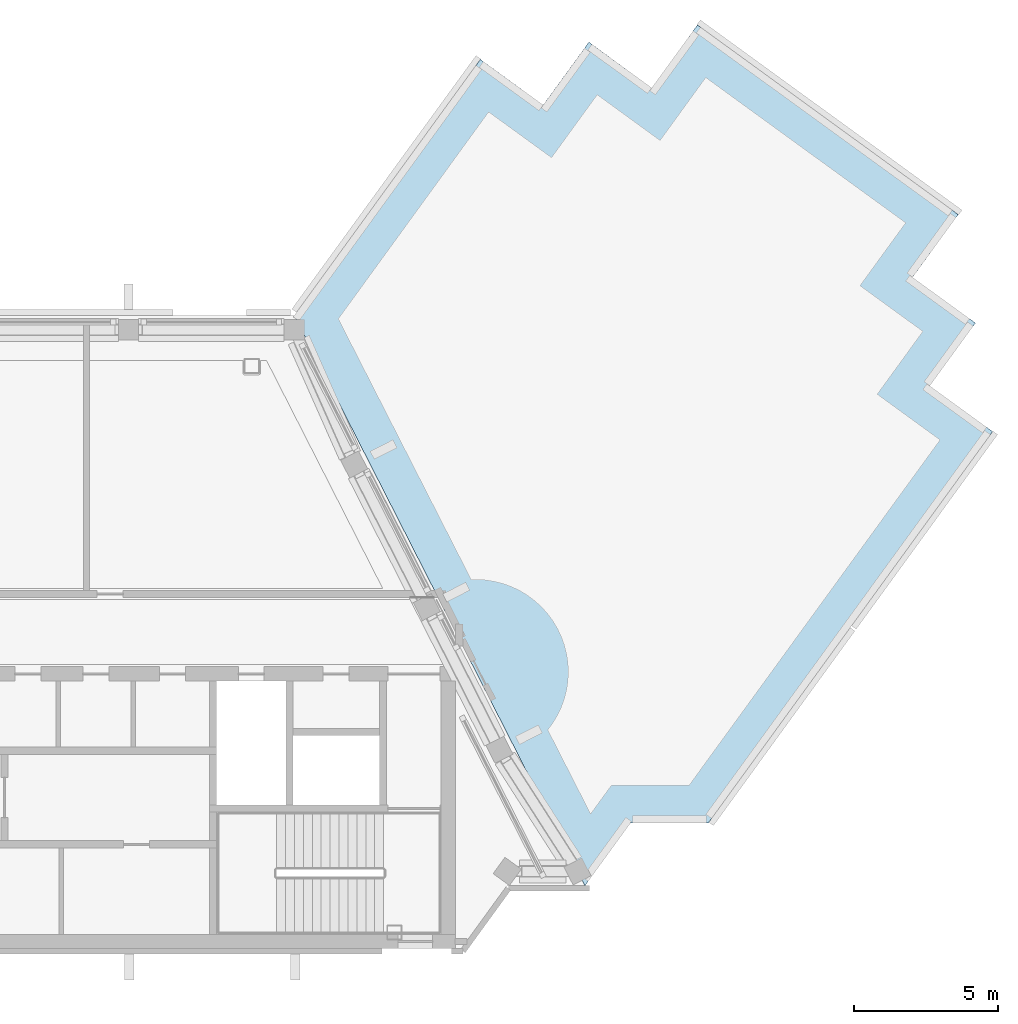
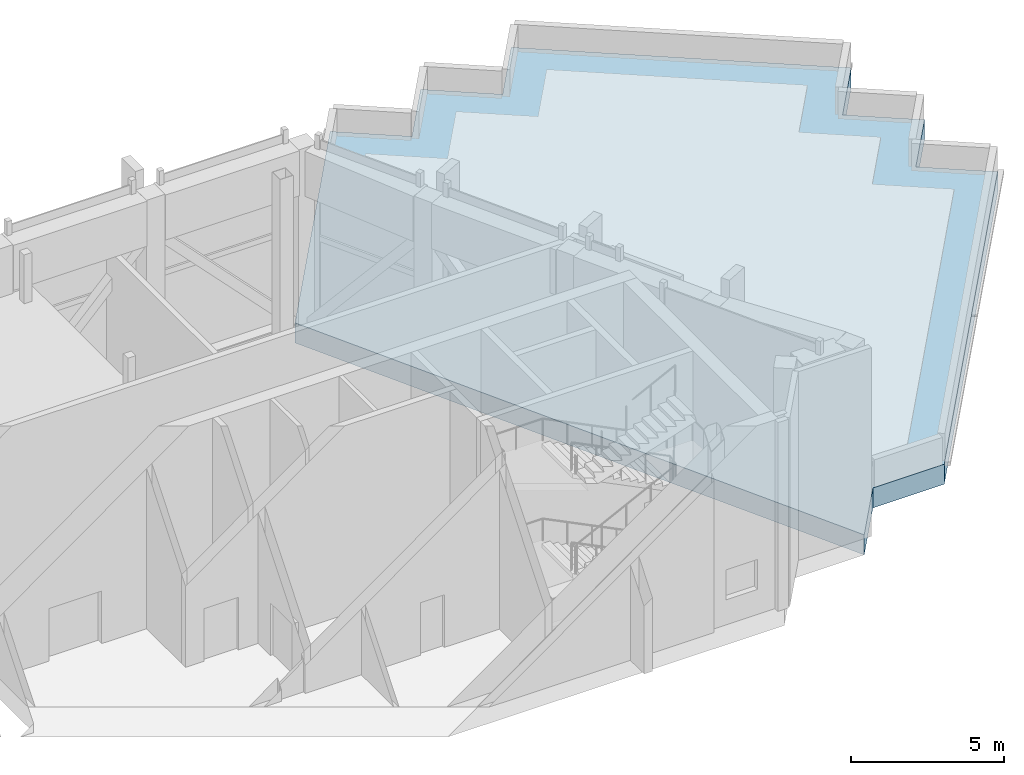
# One storey, part 7 of 14: 1 slab.
"""IFC4 building model written with IfcOpenShell, lengths in metres."""

from ifc_helpers import new_model, si_unit, direction, frame, origin, place, context, subcontext, project, spatial, polyline, outline, extrude, material, layer, layer_set, type_object, element, save


model = new_model("IFC4")

# Units and contexts
model_context = context("Model", 3, precision=1e-05, world=origin(), true_north=direction((0.0, 1.0)))
body_context = subcontext(model_context, "Body", "Model", "MODEL_VIEW")
ifc_project = project(units=[si_unit("LENGTHUNIT", "METRE"), si_unit("AREAUNIT", "SQUARE_METRE"), si_unit("VOLUMEUNIT", "CUBIC_METRE"), si_unit("PLANEANGLEUNIT", "RADIAN"), si_unit("MASSUNIT", "GRAM", prefix="KILO")], contexts=[model_context])

# Site, building, storey
site_placement = place(None, origin())
site = spatial("IfcSite", under=ifc_project, at=site_placement, CompositionType="ELEMENT")
building_placement = place(site_placement, origin())
building = spatial("IfcBuilding", under=site, at=building_placement, Name="Quipu Civic Tower", CompositionType="ELEMENT")
storey_placement = place(building_placement, frame((0.0, 0.0, 355.0)))
storey = spatial("IfcBuildingStorey", under=building, at=storey_placement, Name="L83", CompositionType="ELEMENT", Elevation=355.0)

# Slab
ifc_material = material(Name="Concrete C40/50", Category="concrete")
ifc_layer = layer(ifc_material, 0.800048828125)
ifc_layer_set = layer_set([ifc_layer], Name="Concrete C40/50")
slab_type = type_object("IfcSlabType", Name="Roof slab 800 C40/50", PredefinedType="ROOF", material=ifc_layer_set)
slab_placement = place(storey_placement, frame((0.0, 0.0, -0.800048828125)))
element("IfcSlab", 1, at=slab_placement, inside=storey, type_object=slab_type, Name="Setback roof slab L83 part 2", PredefinedType="ROOF", context=body_context, shape_type="SweptSolid", body=[
    extrude(outline(polyline([(23.0400390625, 18.31005859375), (24.6298828125, 20.4951171875), (26.81494140625, 18.905029296875), (28.39990234375, 21.090087890625), (37.4599609375, 14.5048828125), (35.875, 12.320068359375), (38.06005859375, 10.735107421875), (36.469970703125, 8.550048828125), (38.655029296875, 6.965087890625), (28.780029296875, -6.6298828125), (26.080078125, -6.6298828125), (24.489990234375, -8.81494140625), (14.39501953125, 11.0), (20.860107421875, 19.89501953125), (23.0400390625, 18.31005859375)])), origin(), (0.0, 0.0, 1.0), 0.800048828125),
])

save(model, "model.ifc")
